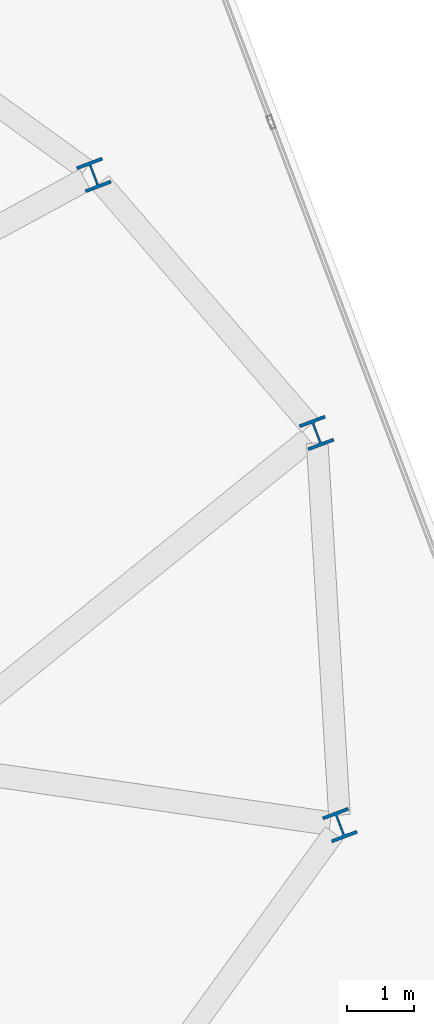
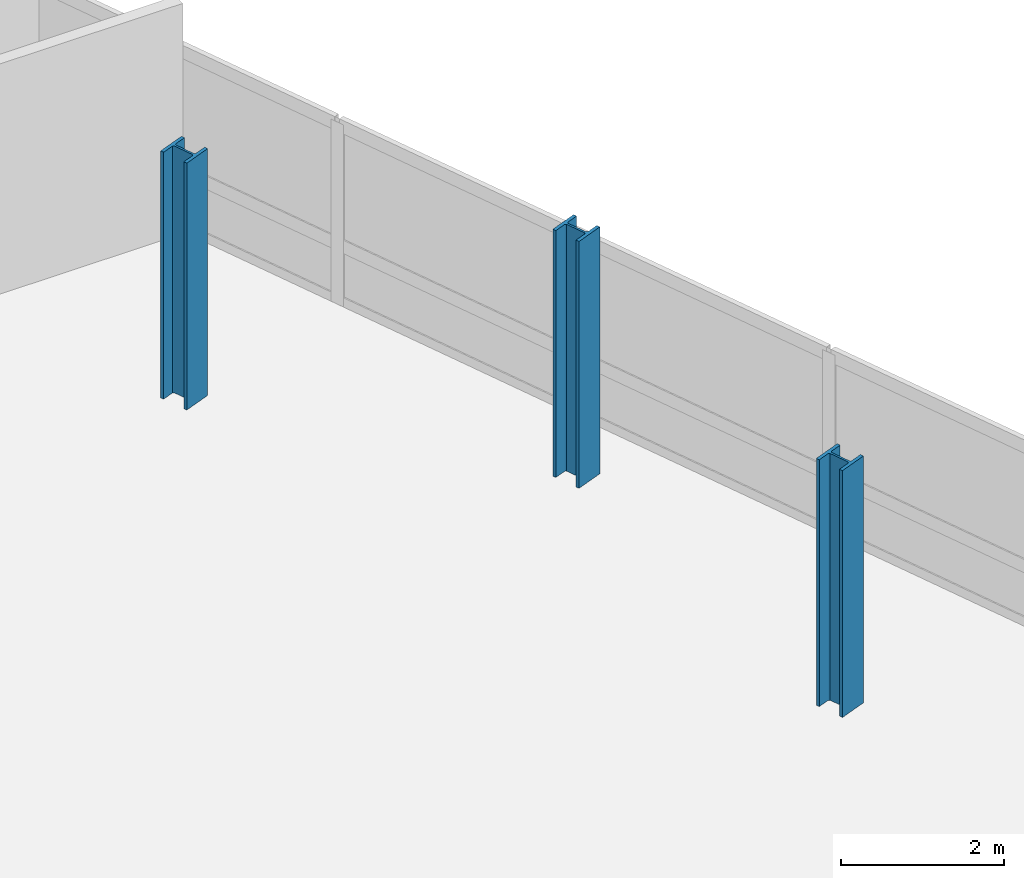
# One storey, part 2 of 20: 3 columns.
"""IFC4 building model written with IfcOpenShell, lengths in metres."""

from ifc_helpers import new_model, si_unit, direction, frame, origin, origin_2d, place, context, subcontext, project, spatial, i_section, extrude, material, material_profile, profile_set, type_object, element, save


model = new_model("IFC4")

# Units and contexts
model_context = context("Model", 3, precision=1e-05, world=origin(), true_north=direction((0.0, 1.0)))
body_context = subcontext(model_context, "Body", "Model", "MODEL_VIEW")
ifc_project = project(units=[si_unit("LENGTHUNIT", "METRE"), si_unit("AREAUNIT", "SQUARE_METRE"), si_unit("VOLUMEUNIT", "CUBIC_METRE"), si_unit("PLANEANGLEUNIT", "RADIAN"), si_unit("MASSUNIT", "GRAM", prefix="KILO")], contexts=[model_context])

# Site, building, storey
site_placement = place(None, origin())
site = spatial("IfcSite", under=ifc_project, at=site_placement, CompositionType="ELEMENT")
building_placement = place(site_placement, origin())
building = spatial("IfcBuilding", under=site, at=building_placement, Name="Varnelok Gate Tower", CompositionType="ELEMENT")
storey_placement = place(building_placement, frame((0.0, 0.0, 216.39990234375)))
storey = spatial("IfcBuildingStorey", under=building, at=storey_placement, Name="L55", CompositionType="ELEMENT", Elevation=216.39990234375)

# Columns
ifc_material = material(Name="Structural Steel ASTM A992 Grade 50", Category="steel")
ifc_material_profile = material_profile(ifc_material, i_section(OverallWidth=0.406005859375, OverallDepth=0.416015625, WebThickness=0.02978515625, FlangeThickness=0.048095703125, FilletRadius=0.02490234375, at=origin_2d()), Name="W14X257")
ifc_profile_set = profile_set([ifc_material_profile], Name="Structural Steel ASTM A992 Grade 50")
column_type = type_object("IfcColumnType", Name="COL-W14X257", PredefinedType="COLUMN", material=ifc_profile_set)
for number, where, z_axis, x_axis, name in (
    (1, (71.05517578125, 26.453369140625, 0.0), (0.0, 0.0, 1.0), (0.935221751401, 0.354062530786, 0.0), "L55 B5 Perimeter Column PC06"),
    (2, (70.70556640625, 32.319580078125, 0.0), (0.0, 0.0, 1.0), (0.935221751401, 0.354062530786, 0.0), "L55 B5 Perimeter Column PC07"),
    (3, (67.372802734375, 36.1796875, 0.0), (0.0, 0.0, 1.0), (0.935221751401, 0.354062530786, 0.0), "L55 B5 Perimeter Column PC08"),
):
    element("IfcColumn", number, at=place(storey_placement, frame(where, z_axis=z_axis, x_axis=x_axis)), inside=storey, type_object=column_type, Name=name, PredefinedType="COLUMN", context=body_context, shape_type="SweptSolid", body=[
        extrude(i_section(OverallWidth=0.406005859375, OverallDepth=0.416015625, WebThickness=0.02978515625, FlangeThickness=0.048095703125, FilletRadius=0.02490234375, at=origin_2d()), origin(), (0.0, 0.0, 1.0), 3.7001953125),
    ])

save(model, "model.ifc")
